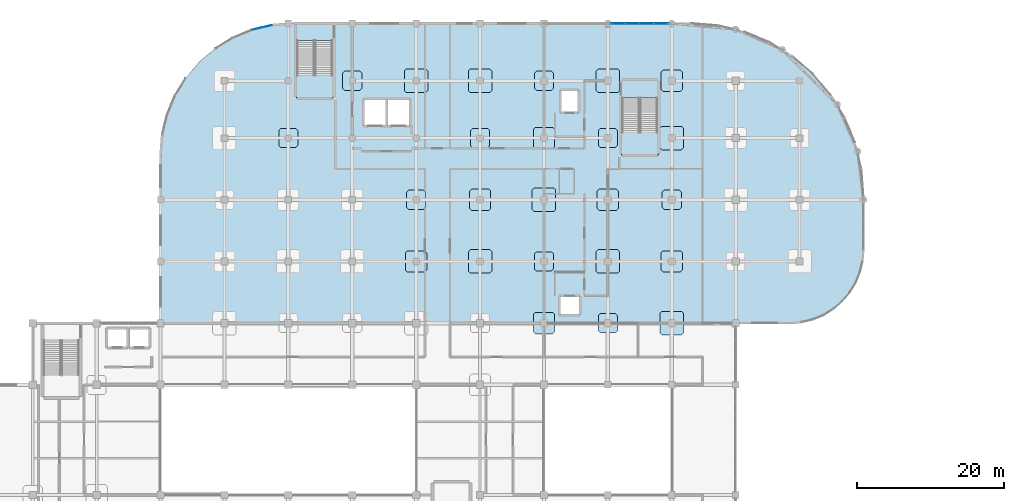
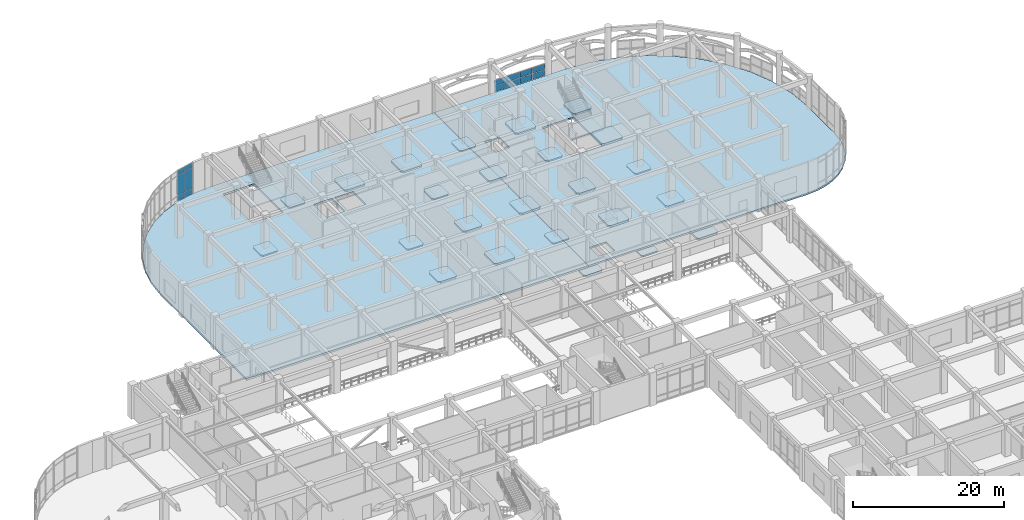
# One storey, part 86 of 114: 28 slabs, 15 plates, 4 elements without a shape of their own.
"""IFC4 building model written with IfcOpenShell, lengths in metres."""

import ifcopenshell
import ifcopenshell.guid

model = None  # the IFC model being written
_history = None  # IfcOwnerHistory: only IFC2X3 demands one
_inside = {}  # id of a spatial element -> (the spatial element, [elements in it])
_under = {}  # id of a project, library or spatial element -> (it, [spatial elements below it])
_declared = {}  # id of a project -> (the project, [libraries it declares])
_typed = {}  # id of a type object -> (the type object, [elements of that type])
_made_of = {}  # id of a material, layer set ... -> (it, [elements and type objects made of it])


def new_model(schema):
    """Start an empty IFC model of exactly this schema.

    Asked for "IFC4X3", IfcOpenShell would pick the latest addendum, in which some entities
    have other attributes; the version numbers below select the first issue.
    IFC2X3 requires an IfcOwnerHistory on every rooted entity: one is made here for all.
    """
    global model, _history
    if schema == "IFC4X3":
        model = ifcopenshell.file(schema_version=(4, 3, 0, 0))
    else:
        model = ifcopenshell.file(schema=schema)
    _inside.clear()
    _under.clear()
    _declared.clear()
    _typed.clear()
    _made_of.clear()
    _history = None
    if model.schema == "IFC2X3":
        org = make("IfcOrganization", Name="unknown")
        user = make(
            "IfcPersonAndOrganization",
            ThePerson=make("IfcPerson", FamilyName="unknown"),
            TheOrganization=org,
        )
        app = make(
            "IfcApplication",
            ApplicationDeveloper=org,
            Version="unknown",
            ApplicationFullName="unknown",
            ApplicationIdentifier="unknown",
        )
        _history = make(
            "IfcOwnerHistory",
            OwningUser=user,
            OwningApplication=app,
            ChangeAction="ADDED",
            CreationDate=0,
        )
    return model


def make(cls, **values):
    """One entity of the class cls with the attributes given. An attribute that is None is left unset."""
    return model.create_entity(
        cls, **{name: value for name, value in values.items() if value is not None}
    )


def rooted(cls, **values):
    """An entity with a GlobalId (a new one), such as an element, a storey or a relation."""
    return make(cls, GlobalId=ifcopenshell.guid.new(), OwnerHistory=_history, **values)


def si_unit(unit_type, name, prefix=None):
    """IfcSIUnit, for example si_unit("LENGTHUNIT", "METRE", prefix="MILLI")."""
    return make("IfcSIUnit", UnitType=unit_type, Prefix=prefix, Name=name)


def derived_unit(unit_type, elements):
    """IfcDerivedUnit: a product of units, each with its exponent."""
    return make(
        "IfcDerivedUnit",
        Elements=[
            make("IfcDerivedUnitElement", Unit=unit, Exponent=power)
            for unit, power in elements
        ],
        UnitType=unit_type,
    )


def assignment(units):
    """IfcUnitAssignment: the units of a project."""
    return None if units is None else make("IfcUnitAssignment", Units=units)


def point(xyz):
    """IfcCartesianPoint."""
    return None if xyz is None else make("IfcCartesianPoint", Coordinates=xyz)


def direction(xyz):
    """IfcDirection."""
    return None if xyz is None else make("IfcDirection", DirectionRatios=xyz)


def frame(location, z_axis=None, x_axis=None):
    """IfcAxis2Placement3D, a coordinate frame: its origin and axes. An axis left out is left unset."""
    return make(
        "IfcAxis2Placement3D",
        Location=point(location),
        Axis=direction(z_axis),
        RefDirection=direction(x_axis),
    )


def frame_2d(location, x_axis=None):
    """IfcAxis2Placement2D, a coordinate frame in the plane: its origin and x axis."""
    return make(
        "IfcAxis2Placement2D", Location=point(location), RefDirection=direction(x_axis)
    )


def origin():
    """The frame at (0, 0, 0) with its axes left unset."""
    return frame((0.0, 0.0, 0.0))


def origin_2d():
    """The frame at (0, 0) in the plane with its x axis left unset."""
    return frame_2d((0.0, 0.0))


def place(relative_to, where):
    """IfcLocalPlacement: puts the frame where relative to a parent placement (None: the world)."""
    return make(
        "IfcLocalPlacement", PlacementRelTo=relative_to, RelativePlacement=where
    )


def context(
    kind, dimensions, precision=None, world=None, true_north=None, identifier=None
):
    """IfcGeometricRepresentationContext, for example the 3D "Model" context."""
    return make(
        "IfcGeometricRepresentationContext",
        ContextIdentifier=identifier,
        ContextType=kind,
        CoordinateSpaceDimension=dimensions,
        Precision=precision,
        WorldCoordinateSystem=world,
        TrueNorth=true_north,
    )


def subcontext(parent, identifier, kind, view, scale=None):
    """IfcGeometricRepresentationSubContext, for example "Body" below "Model"."""
    return make(
        "IfcGeometricRepresentationSubContext",
        ContextIdentifier=identifier,
        ContextType=kind,
        ParentContext=parent,
        TargetScale=scale,
        TargetView=view,
    )


def project(units=None, contexts=None):
    """IfcProject with its units and contexts."""
    return rooted(
        "IfcProject",
        Name="project",
        RepresentationContexts=contexts,
        UnitsInContext=assignment(units),
    )


def spatial(cls, under=None, at=None, **own):
    """A site, building, storey or space (cls), placed at a placement, below another one or the project."""
    s = rooted(cls, ObjectPlacement=at, **own)
    if under is not None:
        _under.setdefault(under.id(), (under, []))[1].append(s)
    return s


def polyline(points):
    """IfcPolyline through the points."""
    return make("IfcPolyline", Points=[point(p) for p in points])


def profile(cls, at=None, kind="AREA", **sizes):
    """A parametric profile (cls). Its sizes go by their IFC names, for example OverallWidth=200.0."""
    return make(cls, ProfileType=kind, Position=at, **sizes)


def rectangle(**sizes):
    """IfcRectangleProfileDef."""
    return profile("IfcRectangleProfileDef", **sizes)


def outline(outer, holes=None, kind="AREA"):
    """IfcArbitraryClosedProfileDef: a profile drawn as a closed curve; with holes, ...WithVoids."""
    if holes is None:
        return make("IfcArbitraryClosedProfileDef", ProfileType=kind, OuterCurve=outer)
    return make(
        "IfcArbitraryProfileDefWithVoids",
        ProfileType=kind,
        OuterCurve=outer,
        InnerCurves=holes,
    )


def extrude(swept, where, along, depth):
    """IfcExtrudedAreaSolid: the profile swept, set in the frame where, extruded along a direction by depth."""
    return make(
        "IfcExtrudedAreaSolid",
        SweptArea=swept,
        Position=where,
        ExtrudedDirection=direction(along),
        Depth=depth,
    )


def shape(context_of_items, identifier, shape_type, items):
    """IfcShapeRepresentation: the items that make up one representation, for example the "Body"."""
    return make(
        "IfcShapeRepresentation",
        ContextOfItems=context_of_items,
        RepresentationIdentifier=identifier,
        RepresentationType=shape_type,
        Items=items,
    )


def material(Name=None, Category=None):
    """IfcMaterial."""
    return make("IfcMaterial", Name=Name, Category=Category)


def layer(
    of_material, thickness, ventilated=None, Name=None, Category=None, Priority=None
):
    """IfcMaterialLayer: one layer of a wall or slab, of a material (None: an air gap)."""
    return make(
        "IfcMaterialLayer",
        Material=of_material,
        LayerThickness=thickness,
        IsVentilated=ventilated,
        Name=Name,
        Category=Category,
        Priority=Priority,
    )


def layer_set(layers, Name=None):
    """IfcMaterialLayerSet."""
    return make("IfcMaterialLayerSet", MaterialLayers=layers, LayerSetName=Name)


def made_of(thing, what):
    """Note that an element or type object is made of a material, layer set ...; save() writes the relation."""
    if what is not None:
        _made_of.setdefault(what.id(), (what, []))[1].append(thing)
    return thing


def type_object(cls, material=None, **own):
    """A type object (cls), such as IfcWallType, which elements share."""
    return made_of(rooted(cls, **own), material)


def element(
    cls,
    number,
    at=None,
    inside=None,
    cuts=None,
    type_object=None,
    material=None,
    context=None,
    identifier="Body",
    shape_type=None,
    held_by="IfcProductDefinitionShape",
    body=None,
    shapes=None,
    **own,
):
    """One element of the class cls, such as IfcWall. Its Tag is "e" and its number.

    at: its placement. inside: the storey or other place that contains it. cuts: it is an
    opening in that element (IfcRelVoidsElement). A single representation is given by context,
    identifier, shape_type and body (its items); several are given by shapes. held_by: the class
    of the entity that holds the representations. save() writes the other relations.
    """
    e = rooted(cls, Tag="e%d" % number, ObjectPlacement=at, **own)
    if body is not None:
        shapes = [shape(context, identifier, shape_type, body)]
    if shapes is not None:
        e.Representation = make(held_by, Representations=shapes)
    if inside is not None:
        _inside.setdefault(inside.id(), (inside, []))[1].append(e)
    if cuts is not None:
        rooted(
            "IfcRelVoidsElement", RelatingBuildingElement=cuts, RelatedOpeningElement=e
        )
    if type_object is not None:
        _typed.setdefault(type_object.id(), (type_object, []))[1].append(e)
    return made_of(e, material)


def aggregate(whole, parts):
    """IfcRelAggregates: a whole, such as a stair, and the parts it consists of."""
    return rooted("IfcRelAggregates", RelatingObject=whole, RelatedObjects=parts)


def save(model, path):
    """Write the relations noted so far, then the file.

    IfcRelAggregates (storeys below a building ...), IfcRelContainedInSpatialStructure (elements
    in a storey), IfcRelDefinesByType, IfcRelAssociatesMaterial and IfcRelDeclares: one each for
    every whole, place, type object, material and project.
    """
    for whole, parts in _under.values():
        aggregate(whole, parts)
    for where, things in _inside.values():
        rooted(
            "IfcRelContainedInSpatialStructure",
            RelatedElements=things,
            RelatingStructure=where,
        )
    for kind, things in _typed.values():
        rooted("IfcRelDefinesByType", RelatedObjects=things, RelatingType=kind)
    for what, things in _made_of.values():
        rooted("IfcRelAssociatesMaterial", RelatedObjects=things, RelatingMaterial=what)
    for by, libraries in _declared.values():
        rooted("IfcRelDeclares", RelatingContext=by, RelatedDefinitions=libraries)
    model.write(path)


model = new_model("IFC4")

# Units and contexts
model_context = context("Model", 3, precision=1e-05, world=origin(), true_north=direction((0.0, 1.0)))
body_context = subcontext(model_context, "Body", "Model", "MODEL_VIEW")
ifc_project = project(units=[si_unit("LENGTHUNIT", "METRE"), si_unit("AREAUNIT", "SQUARE_METRE"), si_unit("VOLUMEUNIT", "CUBIC_METRE"), si_unit("PLANEANGLEUNIT", "RADIAN"), si_unit("MASSUNIT", "GRAM", prefix="KILO"), derived_unit("THERMALTRANSMITTANCEUNIT", [(si_unit("MASSUNIT", "GRAM", prefix="KILO"), 1), (si_unit("TIMEUNIT", "SECOND"), -3), (si_unit("THERMODYNAMICTEMPERATUREUNIT", "KELVIN"), -1)])], contexts=[model_context])

# Site, building, storey
site_placement = place(None, origin())
site = spatial("IfcSite", under=ifc_project, at=site_placement, CompositionType="ELEMENT")
building_placement = place(site_placement, origin())
building = spatial("IfcBuilding", under=site, at=building_placement, Name="Qinzheling Arcade Emporium", CompositionType="ELEMENT")
storey_placement = place(building_placement, frame((0.0, 0.0, 6.0)))
storey = spatial("IfcBuildingStorey", under=building, at=storey_placement, Name="L02", CompositionType="ELEMENT", Elevation=6.0)

# Slabs
ifc_material_1 = material(Name="Concrete C40", Category="concrete")
ifc_layer_1 = layer(ifc_material_1, 0.264892578125, Name="Concrete C40", Category="concrete")
ifc_layer_set_1 = layer_set([ifc_layer_1], Name="Concrete C40")
slab_type_1 = type_object("IfcSlabType", Name="Buying Office Flat Slab 265 C40", PredefinedType="FLOOR", material=ifc_layer_set_1)
slab_1_placement = place(storey_placement, frame((0.0, 0.0, -0.264892578125)))
element("IfcSlab", 1, at=slab_1_placement, inside=storey, type_object=slab_type_1, Name="Floor Slab SLB-L02-V6", PredefinedType="FLOOR", context=body_context, shape_type="SweptSolid", body=[
    extrude(outline(polyline([(104.39990234375, 114.60009765625), (104.39990234375, 73.800048828125), (137.89990234375, 73.800048828125), (139.464111328125, 73.923095703125), (140.989990234375, 74.2890625), (142.43994140625, 74.889892578125), (143.778076171875, 75.7099609375), (144.970947265625, 76.72900390625), (145.989990234375, 77.922119140625), (146.81005859375, 79.260009765625), (147.410888671875, 80.7099609375), (147.777099609375, 82.236083984375), (147.89990234375, 83.800048828125), (147.89990234375, 91.10009765625), (147.611083984375, 94.77587890625), (146.75, 98.362060546875), (145.339111328125, 101.76904296875), (143.412109375, 104.9130859375), (141.01708984375, 107.717041015625), (138.212890625, 110.112060546875), (135.069091796875, 112.0390625), (131.662109375, 113.449951171875), (128.075927734375, 114.31103515625), (124.39990234375, 114.60009765625), (104.39990234375, 114.60009765625)]), holes=[polyline([(115.054931640625, 96.800048828125), (115.054931640625, 104.47509765625), (119.844970703125, 104.47509765625), (119.844970703125, 96.800048828125), (115.054931640625, 96.800048828125)]), polyline([(106.64990234375, 75.050048828125), (106.64990234375, 77.35009765625), (109.14990234375, 77.35009765625), (109.14990234375, 75.050048828125), (106.64990234375, 75.050048828125)]), polyline([(106.800048828125, 102.60009765625), (106.800048828125, 105.39990234375), (109.0, 105.39990234375), (109.0, 102.60009765625), (106.800048828125, 102.60009765625)])]), origin(), (0.0, 0.0, 1.0), 0.264892578125),
])
ifc_layer_2 = layer(ifc_material_1, 0.235107421875, Name="Concrete C40", Category="concrete")
ifc_layer_set_2 = layer_set([ifc_layer_2], Name="Concrete C40")
slab_type_2 = type_object("IfcSlabType", Name="Column Head Drop Panel 2600x2600x235 C40", PredefinedType="USERDEFINED", material=ifc_layer_set_2)
slab_2_placement = place(storey_placement, frame((0.0, 0.0, -0.544921875)))
element("IfcSlab", 2, at=slab_2_placement, inside=storey, type_object=slab_type_2, Name="Column Drop Panel DP-L02-10-N", ObjectType="DROP_PANEL", PredefinedType="USERDEFINED", context=body_context, shape_type="SweptSolid", body=[
    extrude(outline(polyline([(77.280029296875, 105.5), (79.320068359375, 105.5), (79.60009765625, 105.780029296875), (79.60009765625, 107.820068359375), (79.320068359375, 108.10009765625), (77.280029296875, 108.10009765625), (77.0, 107.820068359375), (77.0, 105.780029296875), (77.280029296875, 105.5)])), origin(), (0.0, 0.0, 1.0), 0.23486328125),
])
slab_3_placement = place(storey_placement, frame((0.0, 0.0, -0.544921875)))
element("IfcSlab", 3, at=slab_3_placement, inside=storey, type_object=slab_type_2, Name="Column Drop Panel DP-L02-11-L", ObjectType="DROP_PANEL", PredefinedType="USERDEFINED", context=body_context, shape_type="SweptSolid", body=[
    extrude(outline(polyline([(85.97998046875, 89.300048828125), (88.02001953125, 89.300048828125), (88.300048828125, 89.580078125), (88.300048828125, 91.6201171875), (88.02001953125, 91.89990234375), (85.97998046875, 91.89990234375), (85.699951171875, 91.6201171875), (85.699951171875, 89.580078125), (85.97998046875, 89.300048828125)])), origin(), (0.0, 0.0, 1.0), 0.23486328125),
])
slab_4_placement = place(storey_placement, frame((0.0, 0.0, -0.544921875)))
element("IfcSlab", 4, at=slab_4_placement, inside=storey, type_object=slab_type_2, Name="Column Drop Panel DP-L02-12-M", ObjectType="DROP_PANEL", PredefinedType="USERDEFINED", context=body_context, shape_type="SweptSolid", body=[
    extrude(outline(polyline([(94.679931640625, 97.699951171875), (96.719970703125, 97.699951171875), (97.0, 97.97998046875), (97.0, 100.02001953125), (96.719970703125, 100.300048828125), (94.679931640625, 100.300048828125), (94.39990234375, 100.02001953125), (94.39990234375, 97.97998046875), (94.679931640625, 97.699951171875)])), origin(), (0.0, 0.0, 1.0), 0.23486328125),
])
slab_5_placement = place(storey_placement, frame((0.0, 0.0, -0.544921875)))
element("IfcSlab", 5, at=slab_5_placement, inside=storey, type_object=slab_type_2, Name="Column Drop Panel DP-L02-13-K", ObjectType="DROP_PANEL", PredefinedType="USERDEFINED", context=body_context, shape_type="SweptSolid", body=[
    extrude(outline(polyline([(103.3798828125, 80.89990234375), (105.419921875, 80.89990234375), (105.699951171875, 81.179931640625), (105.699951171875, 83.219970703125), (105.419921875, 83.5), (103.3798828125, 83.5), (103.10009765625, 83.219970703125), (103.10009765625, 81.179931640625), (103.3798828125, 80.89990234375)])), origin(), (0.0, 0.0, 1.0), 0.23486328125),
])
slab_6_placement = place(storey_placement, frame((0.0, 0.0, -0.544921875)))
element("IfcSlab", 6, at=slab_6_placement, inside=storey, type_object=slab_type_2, Name="Column Drop Panel DP-L02-13-N", ObjectType="DROP_PANEL", PredefinedType="USERDEFINED", context=body_context, shape_type="SweptSolid", body=[
    extrude(outline(polyline([(103.3798828125, 105.5), (105.419921875, 105.5), (105.699951171875, 105.780029296875), (105.699951171875, 107.820068359375), (105.419921875, 108.10009765625), (103.3798828125, 108.10009765625), (103.10009765625, 107.820068359375), (103.10009765625, 105.780029296875), (103.3798828125, 105.5)])), origin(), (0.0, 0.0, 1.0), 0.23486328125),
])
slab_7_placement = place(storey_placement, frame((0.0, 0.0, -0.514892578125)))
element("IfcSlab", 7, at=slab_7_placement, inside=storey, type_object=slab_type_2, Name="Column Drop Panel DP-L02-14-J", ObjectType="DROP_PANEL", PredefinedType="USERDEFINED", context=body_context, shape_type="SweptSolid", body=[
    extrude(outline(polyline([(112.080078125, 72.5), (114.1201171875, 72.5), (114.39990234375, 72.780029296875), (114.39990234375, 74.820068359375), (114.1201171875, 75.10009765625), (112.080078125, 75.10009765625), (111.800048828125, 74.820068359375), (111.800048828125, 72.780029296875), (112.080078125, 72.5)])), origin(), (0.0, 0.0, 1.0), 0.23486328125),
])
slab_8_placement = place(storey_placement, frame((0.0, 0.0, -0.5)))
element("IfcSlab", 8, at=slab_8_placement, inside=storey, type_object=slab_type_2, Name="Column Drop Panel DP-L02-14-M", ObjectType="DROP_PANEL", PredefinedType="USERDEFINED", context=body_context, shape_type="SweptSolid", body=[
    extrude(outline(polyline([(112.080078125, 97.699951171875), (114.1201171875, 97.699951171875), (114.39990234375, 97.97998046875), (114.39990234375, 100.02001953125), (114.1201171875, 100.300048828125), (112.080078125, 100.300048828125), (111.800048828125, 100.02001953125), (111.800048828125, 97.97998046875), (112.080078125, 97.699951171875)])), origin(), (0.0, 0.0, 1.0), 0.235107421875),
])
slab_9_placement = place(storey_placement, frame((0.0, 0.0, -0.5)))
element("IfcSlab", 9, at=slab_9_placement, inside=storey, type_object=slab_type_2, Name="Column Drop Panel DP-L02-15-L", ObjectType="DROP_PANEL", PredefinedType="USERDEFINED", context=body_context, shape_type="SweptSolid", body=[
    extrude(outline(polyline([(120.780029296875, 89.300048828125), (122.820068359375, 89.300048828125), (123.10009765625, 89.580078125), (123.10009765625, 91.6201171875), (122.820068359375, 91.89990234375), (120.780029296875, 91.89990234375), (120.5, 91.6201171875), (120.5, 89.580078125), (120.780029296875, 89.300048828125)])), origin(), (0.0, 0.0, 1.0), 0.235107421875),
])
slab_10_placement = place(storey_placement, frame((0.0, 0.0, -0.544921875)))
element("IfcSlab", 10, at=slab_10_placement, inside=storey, type_object=slab_type_2, Name="Column Drop Panel DP-L02-9-M", ObjectType="DROP_PANEL", PredefinedType="USERDEFINED", context=body_context, shape_type="SweptSolid", body=[
    extrude(outline(polyline([(68.580078125, 97.699951171875), (70.6201171875, 97.699951171875), (70.89990234375, 97.97998046875), (70.89990234375, 100.02001953125), (70.6201171875, 100.300048828125), (68.580078125, 100.300048828125), (68.300048828125, 100.02001953125), (68.300048828125, 97.97998046875), (68.580078125, 97.699951171875)])), origin(), (0.0, 0.0, 1.0), 0.23486328125),
])
ifc_layer_3 = layer(ifc_material_1, 0.27001953125, Name="Concrete C40", Category="concrete")
ifc_layer_set_3 = layer_set([ifc_layer_3], Name="Concrete C40")
slab_type_3 = type_object("IfcSlabType", Name="Column Head Drop Panel 2900x2900x270 C40", PredefinedType="USERDEFINED", material=ifc_layer_set_3)
slab_11_placement = place(storey_placement, frame((0.0, 0.0, -0.580078125)))
element("IfcSlab", 11, at=slab_11_placement, inside=storey, type_object=slab_type_3, Name="Column Drop Panel DP-L02-11-K", ObjectType="DROP_PANEL", PredefinedType="USERDEFINED", context=body_context, shape_type="SweptSolid", body=[
    extrude(outline(polyline([(85.830078125, 80.75), (88.169921875, 80.75), (88.449951171875, 81.030029296875), (88.449951171875, 83.3701171875), (88.169921875, 83.64990234375), (85.830078125, 83.64990234375), (85.550048828125, 83.3701171875), (85.550048828125, 81.030029296875), (85.830078125, 80.75)])), origin(), (0.0, 0.0, 1.0), 0.27001953125),
])
slab_12_placement = place(storey_placement, frame((0.0, 0.0, -0.580078125)))
element("IfcSlab", 12, at=slab_12_placement, inside=storey, type_object=slab_type_3, Name="Column Drop Panel DP-L02-12-L", ObjectType="DROP_PANEL", PredefinedType="USERDEFINED", context=body_context, shape_type="SweptSolid", body=[
    extrude(outline(polyline([(94.530029296875, 89.14990234375), (96.8701171875, 89.14990234375), (97.14990234375, 89.429931640625), (97.14990234375, 91.77001953125), (96.8701171875, 92.050048828125), (94.530029296875, 92.050048828125), (94.25, 91.77001953125), (94.25, 89.429931640625), (94.530029296875, 89.14990234375)])), origin(), (0.0, 0.0, 1.0), 0.27001953125),
])
slab_13_placement = place(storey_placement, frame((0.0, 0.0, -0.580078125)))
element("IfcSlab", 13, at=slab_13_placement, inside=storey, type_object=slab_type_3, Name="Column Drop Panel DP-L02-13-J", ObjectType="DROP_PANEL", PredefinedType="USERDEFINED", context=body_context, shape_type="SweptSolid", body=[
    extrude(outline(polyline([(103.22998046875, 72.35009765625), (105.570068359375, 72.35009765625), (105.85009765625, 72.6298828125), (105.85009765625, 74.969970703125), (105.570068359375, 75.25), (103.22998046875, 75.25), (102.949951171875, 74.969970703125), (102.949951171875, 72.6298828125), (103.22998046875, 72.35009765625)])), origin(), (0.0, 0.0, 1.0), 0.27001953125),
])
slab_14_placement = place(storey_placement, frame((0.0, 0.0, -0.580078125)))
element("IfcSlab", 14, at=slab_14_placement, inside=storey, type_object=slab_type_3, Name="Column Drop Panel DP-L02-13-M", ObjectType="DROP_PANEL", PredefinedType="USERDEFINED", context=body_context, shape_type="SweptSolid", body=[
    extrude(outline(polyline([(103.22998046875, 97.550048828125), (105.570068359375, 97.550048828125), (105.85009765625, 97.830078125), (105.85009765625, 100.169921875), (105.570068359375, 100.449951171875), (103.22998046875, 100.449951171875), (102.949951171875, 100.169921875), (102.949951171875, 97.830078125), (103.22998046875, 97.550048828125)])), origin(), (0.0, 0.0, 1.0), 0.27001953125),
])
slab_15_placement = place(storey_placement, frame((0.0, 0.0, -0.534912109375)))
element("IfcSlab", 15, at=slab_15_placement, inside=storey, type_object=slab_type_3, Name="Column Drop Panel DP-L02-14-L", ObjectType="DROP_PANEL", PredefinedType="USERDEFINED", context=body_context, shape_type="SweptSolid", body=[
    extrude(outline(polyline([(111.929931640625, 89.14990234375), (114.27001953125, 89.14990234375), (114.550048828125, 89.429931640625), (114.550048828125, 91.77001953125), (114.27001953125, 92.050048828125), (111.929931640625, 92.050048828125), (111.64990234375, 91.77001953125), (111.64990234375, 89.429931640625), (111.929931640625, 89.14990234375)])), origin(), (0.0, 0.0, 1.0), 0.27001953125),
])
slab_16_placement = place(storey_placement, frame((0.0, 0.0, -0.534912109375)))
element("IfcSlab", 16, at=slab_16_placement, inside=storey, type_object=slab_type_3, Name="Column Drop Panel DP-L02-15-K", ObjectType="DROP_PANEL", PredefinedType="USERDEFINED", context=body_context, shape_type="SweptSolid", body=[
    extrude(outline(polyline([(120.6298828125, 80.75), (122.969970703125, 80.75), (123.25, 81.030029296875), (123.25, 83.3701171875), (122.969970703125, 83.64990234375), (120.6298828125, 83.64990234375), (120.35009765625, 83.3701171875), (120.35009765625, 81.030029296875), (120.6298828125, 80.75)])), origin(), (0.0, 0.0, 1.0), 0.27001953125),
])
slab_17_placement = place(storey_placement, frame((0.0, 0.0, -0.534912109375)))
element("IfcSlab", 17, at=slab_17_placement, inside=storey, type_object=slab_type_3, Name="Column Drop Panel DP-L02-15-N", ObjectType="DROP_PANEL", PredefinedType="USERDEFINED", context=body_context, shape_type="SweptSolid", body=[
    extrude(outline(polyline([(120.6298828125, 105.35009765625), (122.969970703125, 105.35009765625), (123.25, 105.6298828125), (123.25, 107.969970703125), (122.969970703125, 108.25), (120.6298828125, 108.25), (120.35009765625, 107.969970703125), (120.35009765625, 105.6298828125), (120.6298828125, 105.35009765625)])), origin(), (0.0, 0.0, 1.0), 0.27001953125),
])
ifc_layer_4 = layer(ifc_material_1, 0.300048828125, Name="Concrete C40", Category="concrete")
ifc_layer_set_4 = layer_set([ifc_layer_4], Name="Concrete C40")
slab_type_4 = type_object("IfcSlabType", Name="Column Head Drop Panel 3200x3200x300 C40", PredefinedType="USERDEFINED", material=ifc_layer_set_4)
slab_18_placement = place(storey_placement, frame((0.0, 0.0, -0.610107421875)))
element("IfcSlab", 18, at=slab_18_placement, inside=storey, type_object=slab_type_4, Name="Column Drop Panel DP-L02-11-N", ObjectType="DROP_PANEL", PredefinedType="USERDEFINED", context=body_context, shape_type="SweptSolid", body=[
    extrude(outline(polyline([(85.679931640625, 105.199951171875), (88.320068359375, 105.199951171875), (88.60009765625, 105.47998046875), (88.60009765625, 108.1201171875), (88.320068359375, 108.39990234375), (85.679931640625, 108.39990234375), (85.39990234375, 108.1201171875), (85.39990234375, 105.47998046875), (85.679931640625, 105.199951171875)])), origin(), (0.0, 0.0, 1.0), 0.300048828125),
])
slab_19_placement = place(storey_placement, frame((0.0, 0.0, -0.610107421875)))
element("IfcSlab", 19, at=slab_19_placement, inside=storey, type_object=slab_type_4, Name="Column Drop Panel DP-L02-12-K", ObjectType="DROP_PANEL", PredefinedType="USERDEFINED", context=body_context, shape_type="SweptSolid", body=[
    extrude(outline(polyline([(94.3798828125, 80.60009765625), (97.02001953125, 80.60009765625), (97.300048828125, 80.8798828125), (97.300048828125, 83.52001953125), (97.02001953125, 83.800048828125), (94.3798828125, 83.800048828125), (94.10009765625, 83.52001953125), (94.10009765625, 80.8798828125), (94.3798828125, 80.60009765625)])), origin(), (0.0, 0.0, 1.0), 0.300048828125),
])
slab_20_placement = place(storey_placement, frame((0.0, 0.0, -0.610107421875)))
element("IfcSlab", 20, at=slab_20_placement, inside=storey, type_object=slab_type_4, Name="Column Drop Panel DP-L02-12-N", ObjectType="DROP_PANEL", PredefinedType="USERDEFINED", context=body_context, shape_type="SweptSolid", body=[
    extrude(outline(polyline([(94.3798828125, 105.199951171875), (97.02001953125, 105.199951171875), (97.300048828125, 105.47998046875), (97.300048828125, 108.1201171875), (97.02001953125, 108.39990234375), (94.3798828125, 108.39990234375), (94.10009765625, 108.1201171875), (94.10009765625, 105.47998046875), (94.3798828125, 105.199951171875)])), origin(), (0.0, 0.0, 1.0), 0.300048828125),
])
slab_21_placement = place(storey_placement, frame((0.0, 0.0, -0.610107421875)))
element("IfcSlab", 21, at=slab_21_placement, inside=storey, type_object=slab_type_4, Name="Column Drop Panel DP-L02-13-L", ObjectType="DROP_PANEL", PredefinedType="USERDEFINED", context=body_context, shape_type="SweptSolid", body=[
    extrude(outline(polyline([(103.080078125, 89.0), (105.719970703125, 89.0), (106.0, 89.280029296875), (106.0, 91.919921875), (105.719970703125, 92.199951171875), (103.080078125, 92.199951171875), (102.800048828125, 91.919921875), (102.800048828125, 89.280029296875), (103.080078125, 89.0)])), origin(), (0.0, 0.0, 1.0), 0.300048828125),
])
slab_22_placement = place(storey_placement, frame((0.0, 0.0, -0.56494140625)))
element("IfcSlab", 22, at=slab_22_placement, inside=storey, type_object=slab_type_4, Name="Column Drop Panel DP-L02-14-K", ObjectType="DROP_PANEL", PredefinedType="USERDEFINED", context=body_context, shape_type="SweptSolid", body=[
    extrude(outline(polyline([(111.780029296875, 80.60009765625), (114.419921875, 80.60009765625), (114.699951171875, 80.8798828125), (114.699951171875, 83.52001953125), (114.419921875, 83.800048828125), (111.780029296875, 83.800048828125), (111.5, 83.52001953125), (111.5, 80.8798828125), (111.780029296875, 80.60009765625)])), origin(), (0.0, 0.0, 1.0), 0.300048828125),
])
slab_23_placement = place(storey_placement, frame((0.0, 0.0, -0.56494140625)))
element("IfcSlab", 23, at=slab_23_placement, inside=storey, type_object=slab_type_4, Name="Column Drop Panel DP-L02-14-N", ObjectType="DROP_PANEL", PredefinedType="USERDEFINED", context=body_context, shape_type="SweptSolid", body=[
    extrude(outline(polyline([(111.780029296875, 105.199951171875), (114.419921875, 105.199951171875), (114.699951171875, 105.47998046875), (114.699951171875, 108.1201171875), (114.419921875, 108.39990234375), (111.780029296875, 108.39990234375), (111.5, 108.1201171875), (111.5, 105.47998046875), (111.780029296875, 105.199951171875)])), origin(), (0.0, 0.0, 1.0), 0.300048828125),
])
slab_24_placement = place(storey_placement, frame((0.0, 0.0, -0.580078125)))
element("IfcSlab", 24, at=slab_24_placement, inside=storey, type_object=slab_type_4, Name="Column Drop Panel DP-L02-15-J", ObjectType="DROP_PANEL", PredefinedType="USERDEFINED", context=body_context, shape_type="SweptSolid", body=[
    extrude(outline(polyline([(120.47998046875, 72.199951171875), (123.1201171875, 72.199951171875), (123.39990234375, 72.47998046875), (123.39990234375, 75.1201171875), (123.1201171875, 75.39990234375), (120.47998046875, 75.39990234375), (120.199951171875, 75.1201171875), (120.199951171875, 72.47998046875), (120.47998046875, 72.199951171875)])), origin(), (0.0, 0.0, 1.0), 0.300048828125),
])
slab_25_placement = place(storey_placement, frame((0.0, 0.0, -0.56494140625)))
element("IfcSlab", 25, at=slab_25_placement, inside=storey, type_object=slab_type_4, Name="Column Drop Panel DP-L02-15-M", ObjectType="DROP_PANEL", PredefinedType="USERDEFINED", context=body_context, shape_type="SweptSolid", body=[
    extrude(outline(polyline([(120.47998046875, 97.39990234375), (123.1201171875, 97.39990234375), (123.39990234375, 97.679931640625), (123.39990234375, 100.320068359375), (123.1201171875, 100.60009765625), (120.47998046875, 100.60009765625), (120.199951171875, 100.320068359375), (120.199951171875, 97.679931640625), (120.47998046875, 97.39990234375)])), origin(), (0.0, 0.0, 1.0), 0.300048828125),
])

# Curtain wall, plates
ifc_material_2 = material(Name="Anodised aluminium and solar-control double glazing", Category="aluminium")
ifc_layer_5 = layer(ifc_material_2, 0.159912109375, Name="Anodised aluminium and solar-control double glazing", Category="aluminium")
ifc_layer_set_5 = layer_set([ifc_layer_5], Name="Anodised aluminium and solar-control double glazing")
curtain_wall_type_1 = type_object("IfcCurtainWallType", Name="Curved Ribbon Sales Curtain Wall", PredefinedType="NOTDEFINED", material=ifc_layer_set_5)
curtain_wall_1_placement = place(storey_placement, origin())
curtain_wall_1 = element("IfcCurtainWall", 26, at=curtain_wall_1_placement, inside=storey, type_object=curtain_wall_type_1, Name="Curtain Wall CW-L02-101", PredefinedType="NOTDEFINED")
ifc_material_3 = material(Name="Laminated solar-control double glazing", Category="glass")
ifc_layer_6 = layer(ifc_material_3, 0.028076171875, Name="Laminated solar-control double glazing", Category="glass")
ifc_layer_set_6 = layer_set([ifc_layer_6], Name="Laminated solar-control double glazing")
plate_type_1 = type_object("IfcPlateType", Name="Low-E Double Glazed Curtain Panel 28mm", PredefinedType="CURTAIN_PANEL", material=ifc_layer_set_6)
plate_1_placement = place(storey_placement, frame((65.339111328125, 113.88720703125, 0.06005859375), z_axis=(0.0, 0.0, 1.0), x_axis=(0.972390516216, 0.233359559423, 0.0)))
plate_1 = element("IfcPlate", 27, at=plate_1_placement, type_object=plate_type_1, Name="CW02 panel 1.1", PredefinedType="CURTAIN_PANEL", context=body_context, shape_type="SweptSolid", body=[
    extrude(rectangle(XDim=1.322021484375, YDim=0.028076171875, at=origin_2d()), origin(), (0.0, 0.0, 1.0), 0.860107421875),
])
plate_2_placement = place(storey_placement, frame((65.339111328125, 113.88720703125, 0.97998046875), z_axis=(0.0, 0.0, 1.0), x_axis=(0.972390516216, 0.233359559423, 0.0)))
plate_2 = element("IfcPlate", 28, at=plate_2_placement, type_object=plate_type_1, Name="CW02 panel 1.2", PredefinedType="CURTAIN_PANEL", context=body_context, shape_type="SweptSolid", body=[
    extrude(rectangle(XDim=1.322021484375, YDim=0.028076171875, at=origin_2d()), origin(), (0.0, 0.0, 1.0), 3.22998046875),
])
plate_3_placement = place(storey_placement, frame((65.339111328125, 113.88720703125, 4.27001953125), z_axis=(0.0, 0.0, 1.0), x_axis=(0.972390516216, 0.233359559423, 0.0)))
plate_3 = element("IfcPlate", 29, at=plate_3_placement, type_object=plate_type_1, Name="CW02 panel 1.3", PredefinedType="CURTAIN_PANEL", context=body_context, shape_type="SweptSolid", body=[
    extrude(rectangle(XDim=1.322021484375, YDim=0.028076171875, at=origin_2d()), origin(), (0.0, 0.0, 1.0), 0.760009765625),
])
plate_4_placement = place(storey_placement, frame((66.682861328125, 114.209716796875, 0.06005859375), z_axis=(0.0, 0.0, 1.0), x_axis=(0.972390516216, 0.233359559423, 0.0)))
plate_4 = element("IfcPlate", 30, at=plate_4_placement, type_object=plate_type_1, Name="CW02 panel 2.1", PredefinedType="CURTAIN_PANEL", context=body_context, shape_type="SweptSolid", body=[
    extrude(rectangle(XDim=1.322021484375, YDim=0.028076171875, at=origin_2d()), origin(), (0.0, 0.0, 1.0), 0.860107421875),
])
plate_5_placement = place(storey_placement, frame((66.682861328125, 114.209716796875, 0.97998046875), z_axis=(0.0, 0.0, 1.0), x_axis=(0.972390516216, 0.233359559423, 0.0)))
plate_5 = element("IfcPlate", 31, at=plate_5_placement, type_object=plate_type_1, Name="CW02 panel 2.2", PredefinedType="CURTAIN_PANEL", context=body_context, shape_type="SweptSolid", body=[
    extrude(rectangle(XDim=1.322021484375, YDim=0.028076171875, at=origin_2d()), origin(), (0.0, 0.0, 1.0), 3.22998046875),
])
plate_6_placement = place(storey_placement, frame((66.682861328125, 114.209716796875, 4.27001953125), z_axis=(0.0, 0.0, 1.0), x_axis=(0.972390516216, 0.233359559423, 0.0)))
plate_6 = element("IfcPlate", 32, at=plate_6_placement, type_object=plate_type_1, Name="CW02 panel 2.3", PredefinedType="CURTAIN_PANEL", context=body_context, shape_type="SweptSolid", body=[
    extrude(rectangle(XDim=1.322021484375, YDim=0.028076171875, at=origin_2d()), origin(), (0.0, 0.0, 1.0), 0.760009765625),
])
aggregate(curtain_wall_1, [plate_1, plate_2, plate_3, plate_4, plate_5, plate_6])

ifc_layer_7 = layer(ifc_material_2, 0.159912109375, Name="Anodised aluminium and solar-control double glazing", Category="aluminium")
ifc_layer_set_7 = layer_set([ifc_layer_7], Name="Anodised aluminium and solar-control double glazing")
curtain_wall_type_2 = type_object("IfcCurtainWallType", Name="Arcade Portal Glazed Curtain Wall", PredefinedType="NOTDEFINED", material=ifc_layer_set_7)
curtain_wall_2_placement = place(storey_placement, origin())
curtain_wall_2 = element("IfcCurtainWall", 33, at=curtain_wall_2_placement, inside=storey, type_object=curtain_wall_type_2, Name="Curtain Wall CW-L02-102", PredefinedType="NOTDEFINED")
ifc_layer_8 = layer(ifc_material_3, 0.029052734375, Name="Laminated solar-control double glazing", Category="glass")
ifc_layer_set_8 = layer_set([ifc_layer_8], Name="Laminated solar-control double glazing")
plate_type_2 = type_object("IfcPlateType", Name="Low-E Double Glazed Curtain Panel 29mm", PredefinedType="CURTAIN_PANEL", material=ifc_layer_set_8)
plate_7_placement = place(storey_placement, frame((114.560302734375, 114.60009765625, 0.06005859375), z_axis=(0.0, 0.0, 1.0), x_axis=(1.0, 0.0, 0.0)))
plate_7 = element("IfcPlate", 34, at=plate_7_placement, type_object=plate_type_2, Name="CW05 panel 1.1", PredefinedType="CURTAIN_PANEL", context=body_context, shape_type="SweptSolid", body=[
    extrude(rectangle(XDim=1.846435546875, YDim=0.029052734375, at=origin_2d()), origin(), (0.0, 0.0, 1.0), 0.923095703125),
])
plate_8_placement = place(storey_placement, frame((114.560302734375, 114.60009765625, 1.04296875), z_axis=(0.0, 0.0, 1.0), x_axis=(1.0, 0.0, 0.0)))
plate_8 = element("IfcPlate", 35, at=plate_8_placement, type_object=plate_type_2, Name="CW05 panel 1.2", PredefinedType="CURTAIN_PANEL", context=body_context, shape_type="SweptSolid", body=[
    extrude(rectangle(XDim=1.846435546875, YDim=0.029052734375, at=origin_2d()), origin(), (0.0, 0.0, 1.0), 0.922119140625),
])
plate_9_placement = place(storey_placement, frame((116.481689453125, 114.60009765625, 0.06005859375), z_axis=(0.0, 0.0, 1.0), x_axis=(1.0, 0.0, 0.0)))
plate_9 = element("IfcPlate", 36, at=plate_9_placement, type_object=plate_type_2, Name="CW05 panel 2.1", PredefinedType="CURTAIN_PANEL", context=body_context, shape_type="SweptSolid", body=[
    extrude(rectangle(XDim=1.87646484375, YDim=0.029052734375, at=origin_2d()), origin(), (0.0, 0.0, 1.0), 0.923095703125),
])
plate_10_placement = place(storey_placement, frame((116.481689453125, 114.60009765625, 1.04296875), z_axis=(0.0, 0.0, 1.0), x_axis=(1.0, 0.0, 0.0)))
plate_10 = element("IfcPlate", 37, at=plate_10_placement, type_object=plate_type_2, Name="CW05 panel 2.2", PredefinedType="CURTAIN_PANEL", context=body_context, shape_type="SweptSolid", body=[
    extrude(rectangle(XDim=1.87646484375, YDim=0.029052734375, at=origin_2d()), origin(), (0.0, 0.0, 1.0), 0.922119140625),
])
plate_11_placement = place(storey_placement, frame((118.418212890625, 114.60009765625, 0.06005859375), z_axis=(0.0, 0.0, 1.0), x_axis=(1.0, 0.0, 0.0)))
plate_11 = element("IfcPlate", 38, at=plate_11_placement, type_object=plate_type_2, Name="CW05 panel 3.1", PredefinedType="CURTAIN_PANEL", context=body_context, shape_type="SweptSolid", body=[
    extrude(rectangle(XDim=1.87646484375, YDim=0.029052734375, at=origin_2d()), origin(), (0.0, 0.0, 1.0), 0.923095703125),
])
plate_12_placement = place(storey_placement, frame((118.418212890625, 114.60009765625, 1.04296875), z_axis=(0.0, 0.0, 1.0), x_axis=(1.0, 0.0, 0.0)))
plate_12 = element("IfcPlate", 39, at=plate_12_placement, type_object=plate_type_2, Name="CW05 panel 3.2", PredefinedType="CURTAIN_PANEL", context=body_context, shape_type="SweptSolid", body=[
    extrude(rectangle(XDim=1.87646484375, YDim=0.029052734375, at=origin_2d()), origin(), (0.0, 0.0, 1.0), 0.922119140625),
])
plate_13_placement = place(storey_placement, frame((120.33984375, 114.60009765625, 0.06005859375), z_axis=(0.0, 0.0, 1.0), x_axis=(1.0, 0.0, 0.0)))
plate_13 = element("IfcPlate", 40, at=plate_13_placement, type_object=plate_type_2, Name="CW05 panel 4.1", PredefinedType="CURTAIN_PANEL", context=body_context, shape_type="SweptSolid", body=[
    extrude(rectangle(XDim=1.846435546875, YDim=0.029052734375, at=origin_2d()), origin(), (0.0, 0.0, 1.0), 0.923095703125),
])
plate_14_placement = place(storey_placement, frame((120.33984375, 114.60009765625, 1.04296875), z_axis=(0.0, 0.0, 1.0), x_axis=(1.0, 0.0, 0.0)))
plate_14 = element("IfcPlate", 41, at=plate_14_placement, type_object=plate_type_2, Name="CW05 panel 4.2", PredefinedType="CURTAIN_PANEL", context=body_context, shape_type="SweptSolid", body=[
    extrude(rectangle(XDim=1.846435546875, YDim=0.029052734375, at=origin_2d()), origin(), (0.0, 0.0, 1.0), 0.922119140625),
])
aggregate(curtain_wall_2, [plate_7, plate_8, plate_9, plate_10, plate_11, plate_12, plate_13, plate_14])

# Stair, slab
stair_type = type_object("IfcStairType", Name="Cast-in-Situ Dog-Leg Escape Stair H5400", PredefinedType="HALF_TURN_STAIR", material=ifc_material_1)
stair_1_placement = place(storey_placement, origin())
stair_1 = element("IfcStair", 42, at=stair_1_placement, inside=storey, type_object=stair_type, Name="L02 ST07", PredefinedType="HALF_TURN_STAIR")
ifc_layer_9 = layer(ifc_material_1, 0.199951171875, Name="Concrete C40", Category="concrete")
ifc_layer_set_9 = layer_set([ifc_layer_9], Name="Concrete C40")
slab_type_5 = type_object("IfcSlabType", Name="Stair Half-Turn Landing Slab 200 C40", PredefinedType="LANDING", material=ifc_layer_set_9)
slab_26_placement = place(storey_placement, frame((0.0, 0.0, 2.5)))
slab_26 = element("IfcSlab", 43, at=slab_26_placement, type_object=slab_type_5, Name="ST07 landing 1", PredefinedType="LANDING", context=body_context, shape_type="SweptSolid", body=[
    extrude(outline(polyline([(70.679931640625, 107.639892578125), (75.7099609375, 107.639892578125), (75.7099609375, 104.47998046875), (70.679931640625, 104.47998046875), (70.679931640625, 107.639892578125)])), origin(), (0.0, 0.0, 1.0), 0.199951171875),
])
aggregate(stair_1, [slab_26])

stair_2_placement = place(storey_placement, origin())
stair_2 = element("IfcStair", 44, at=stair_2_placement, inside=storey, type_object=stair_type, Name="L02 ST08", PredefinedType="HALF_TURN_STAIR")
slab_27_placement = place(storey_placement, frame((0.0, 0.0, 2.5)))
slab_27 = element("IfcSlab", 45, at=slab_27_placement, type_object=slab_type_5, Name="ST08 landing 1", PredefinedType="LANDING", context=body_context, shape_type="SweptSolid", body=[
    extrude(outline(polyline([(114.93505859375, 99.840087890625), (119.965087890625, 99.840087890625), (119.965087890625, 96.679931640625), (114.93505859375, 96.679931640625), (114.93505859375, 99.840087890625)])), origin(), (0.0, 0.0, 1.0), 0.199951171875),
])
aggregate(stair_2, [slab_27])

# Slab
ifc_layer_10 = layer(ifc_material_1, 0.31005859375, Name="Concrete C40", Category="concrete")
ifc_layer_set_10 = layer_set([ifc_layer_10], Name="Concrete C40")
slab_type_6 = type_object("IfcSlabType", Name="Stockroom Heavy Flat Slab 310 C40", PredefinedType="FLOOR", material=ifc_layer_set_10)
slab_28_placement = place(storey_placement, frame((0.0, 0.0, -0.31005859375)))
element("IfcSlab", 46, at=slab_28_placement, inside=storey, type_object=slab_type_6, Name="Floor Slab SLB-L02-V5", PredefinedType="FLOOR", context=body_context, shape_type="SweptSolid", body=[
    extrude(outline(polyline([(52.199951171875, 96.60009765625), (52.199951171875, 73.800048828125), (104.39990234375, 73.800048828125), (104.39990234375, 114.60009765625), (70.199951171875, 114.60009765625), (67.384033203125, 114.3779296875), (64.637939453125, 113.718994140625), (62.028076171875, 112.637939453125), (59.6201171875, 111.162109375), (57.471923828125, 109.327880859375), (55.637939453125, 107.179931640625), (54.162109375, 104.77197265625), (53.0810546875, 102.162109375), (52.422119140625, 99.416015625), (52.199951171875, 96.60009765625)]), holes=[polyline([(83.199951171875, 100.800048828125), (83.199951171875, 104.199951171875), (86.0, 104.199951171875), (86.0, 100.800048828125), (83.199951171875, 100.800048828125)]), polyline([(82.800048828125, 100.800048828125), (80.0, 100.800048828125), (80.0, 104.199951171875), (82.800048828125, 104.199951171875), (82.800048828125, 100.800048828125)]), polyline([(75.590087890625, 104.60009765625), (70.800048828125, 104.60009765625), (70.800048828125, 112.27490234375), (75.590087890625, 112.27490234375), (75.590087890625, 104.60009765625)])]), origin(), (0.0, 0.0, 1.0), 0.31005859375),
])

# Plate
ifc_material_4 = material(Name="Perforated anodised aluminium sheet", Category="aluminium")
ifc_layer_11 = layer(ifc_material_4, 0.014892578125, Name="Perforated anodised aluminium sheet", Category="aluminium")
ifc_layer_set_11 = layer_set([ifc_layer_11], Name="Perforated anodised aluminium sheet")
plate_type_3 = type_object("IfcPlateType", Name="Typhoon Storm Louvre Blade 15mm", PredefinedType="SHEET", material=ifc_layer_set_11)
plate_15_placement = place(storey_placement, frame((117.449951171875, 114.60009765625, 1.4501953125), z_axis=(0.0, 0.0, 1.0), x_axis=(1.0, 0.0, 0.0)))
element("IfcPlate", 47, at=plate_15_placement, inside=storey, type_object=plate_type_3, Name="Storm Louvre PLT-SLV-L02-017", PredefinedType="SHEET", context=body_context, shape_type="SweptSolid", body=[
    extrude(rectangle(XDim=7.77587890625, YDim=0.014892578125, at=origin_2d()), origin(), (0.0, 0.0, 1.0), 0.449951171875),
])

save(model, "model.ifc")
